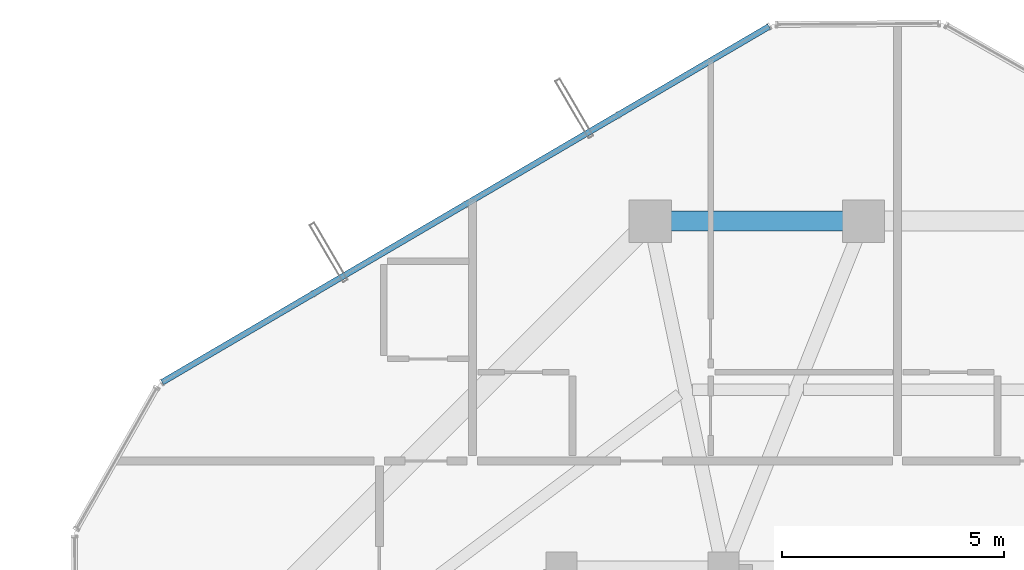
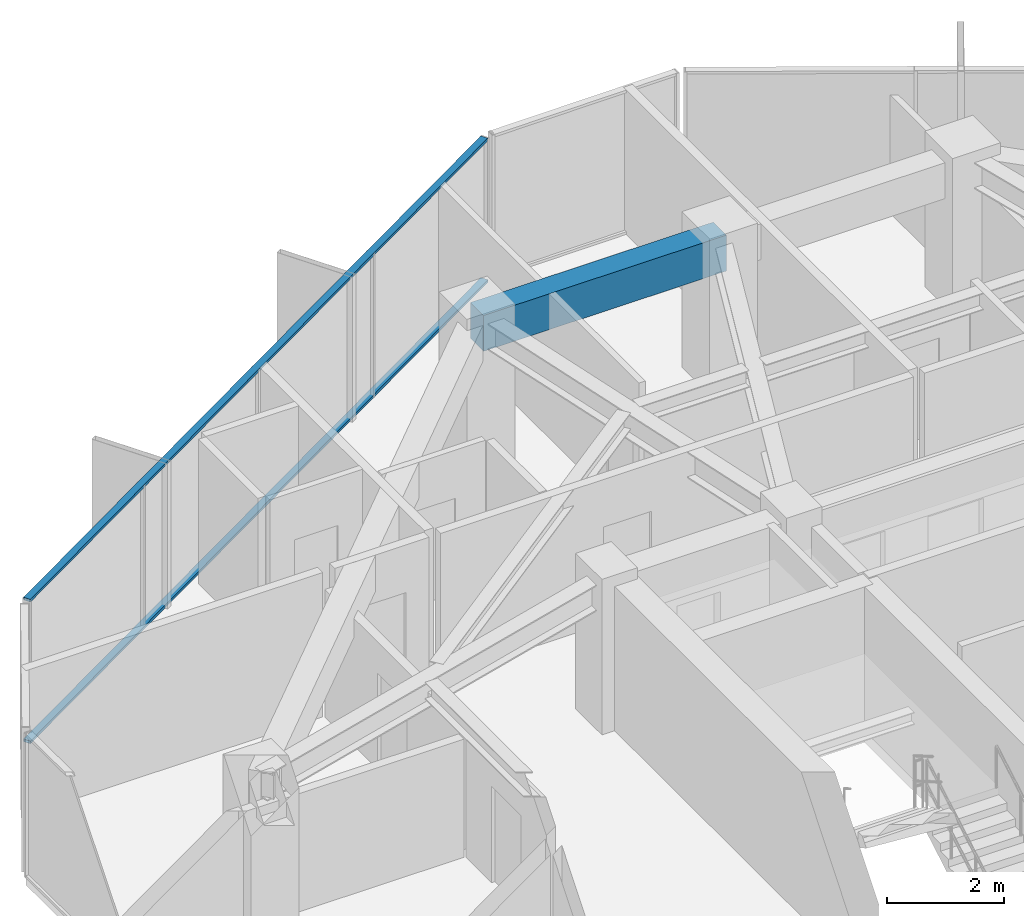
# One storey, part 21 of 31: 2 members, 1 beam, 1 element without a shape of its own.
"""IFC4 building model written with IfcOpenShell, lengths in metres."""

from ifc_helpers import new_model, si_unit, direction, frame, origin, origin_2d, place, context, subcontext, project, spatial, rectangle, hollow_rectangle, extrude, source, transform, mapped, material, layer, layer_set, material_profile, profile_set, type_object, element, aggregate, save


model = new_model("IFC4")

# Units and contexts
model_context = context("Model", 3, precision=1e-05, world=origin(), true_north=direction((0.0, 1.0)))
body_context = subcontext(model_context, "Body", "Model", "MODEL_VIEW")
ifc_project = project(units=[si_unit("LENGTHUNIT", "METRE"), si_unit("AREAUNIT", "SQUARE_METRE"), si_unit("VOLUMEUNIT", "CUBIC_METRE"), si_unit("PLANEANGLEUNIT", "RADIAN"), si_unit("MASSUNIT", "GRAM", prefix="KILO")], contexts=[model_context])

# Site, building, storey
site_placement = place(None, origin())
site = spatial("IfcSite", under=ifc_project, at=site_placement, CompositionType="ELEMENT")
building_placement = place(site_placement, origin())
building = spatial("IfcBuilding", under=site, at=building_placement, Name="Veraguas Prism Commons", CompositionType="ELEMENT")
storey_placement = place(building_placement, frame((0.0, 0.0, 204.85009765625)))
storey = spatial("IfcBuildingStorey", under=building, at=storey_placement, Name="L58", CompositionType="ELEMENT", Elevation=204.85009765625)

# Beam
ifc_material_1 = material(Name="Concrete C50/60", Category="concrete")
ifc_material_profile_1 = material_profile(ifc_material_1, rectangle(XDim=0.449951171875, YDim=0.75, at=origin_2d()), Name="RC450X750")
ifc_profile_set_1 = profile_set([ifc_material_profile_1], Name="Concrete C50/60")
beam_type = type_object("IfcBeamType", Name="Perimeter Spandrel Upper RC 450x750", PredefinedType="SPANDREL", material=ifc_profile_set_1)
beam_placement = place(storey_placement, frame((24.0, 38.89990234375, 2.639892578125), z_axis=(-1.0, 0.0, 0.0), x_axis=(0.0, -1.0, 0.0)))
element("IfcBeam", 1, at=beam_placement, inside=storey, type_object=beam_type, Name="Perimeter Spandrel Beam L58-SP05", PredefinedType="SPANDREL", context=body_context, shape_type="SweptSolid", body=[
    extrude(rectangle(XDim=0.449951171875, YDim=0.75, at=origin_2d()), origin(), (0.0, 0.0, 1.0), 4.800048828125),
])

# Curtain wall, members
ifc_material_2 = material(Name="Anodised aluminium EN AW-6063 T6", Category="aluminium")
ifc_layer = layer(ifc_material_2, 0.14990234375, Name="Unitised Flush Curtain Wall Zone 3", Category="aluminium")
ifc_layer_set = layer_set([ifc_layer], Name="Anodised aluminium EN AW-6063 T6")
curtain_wall_type = type_object("IfcCurtainWallType", Name="Unitised Flush Curtain Wall Zone 3", PredefinedType="NOTDEFINED", material=ifc_layer_set)
curtain_wall_placement = place(storey_placement, origin())
curtain_wall = element("IfcCurtainWall", 2, at=curtain_wall_placement, inside=storey, type_object=curtain_wall_type, Name="Tower Facade Curtain Wall L58-F2", PredefinedType="NOTDEFINED")
ifc_material_profile_2 = material_profile(ifc_material_2, hollow_rectangle(XDim=0.054931640625, YDim=0.135009765625, WallThickness=0.0029296875, at=origin_2d()), Name="AL55X135X3")
ifc_profile_set_2 = profile_set([ifc_material_profile_2], Name="Anodised aluminium EN AW-6063 T6")
member_type = type_object("IfcMemberType", Name="Curtain Wall Transom Standard AL 55x135x3", PredefinedType="USERDEFINED", material=ifc_profile_set_2)
shared_shape = source(origin(), body_context, "Body", "SweptSolid", [
    extrude(hollow_rectangle(XDim=0.054931640625, YDim=0.135009765625, WallThickness=0.0029296875, at=origin_2d()), origin(), (0.0, 0.0, 1.0), 15.84228515625),
])
member_1_placement = place(storey_placement, frame((21.876953125, 43.284423828125, 0.02734375), z_axis=(-0.862690319206, -0.505732551007, 0.0), x_axis=(0.0, 0.0, 1.0)))
member_1 = element("IfcMember", 3, at=member_1_placement, type_object=member_type, Name="CW-Z3 Transom 1", ObjectType="TRANSOM", PredefinedType="USERDEFINED", context=body_context, shape_type="MappedRepresentation", body=[
    mapped(shared_shape, transform((0.0, 0.0, 0.0), scale=1.0)),
])
member_2_placement = place(storey_placement, frame((21.876953125, 43.284423828125, 2.9873046875), z_axis=(-0.862690319206, -0.505732551007, 0.0), x_axis=(0.0, 0.0, 1.0)))
member_2 = element("IfcMember", 4, at=member_2_placement, type_object=member_type, Name="CW-Z3 Transom 2", ObjectType="TRANSOM", PredefinedType="USERDEFINED", context=body_context, shape_type="MappedRepresentation", body=[
    mapped(shared_shape, transform((0.0, 0.0, 0.0), scale=1.0)),
])
aggregate(curtain_wall, [member_1, member_2])

save(model, "model.ifc")
